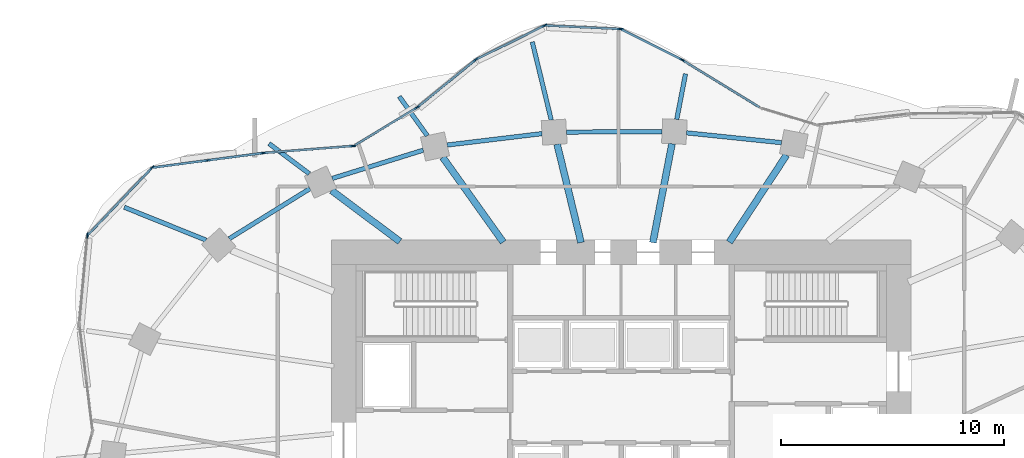
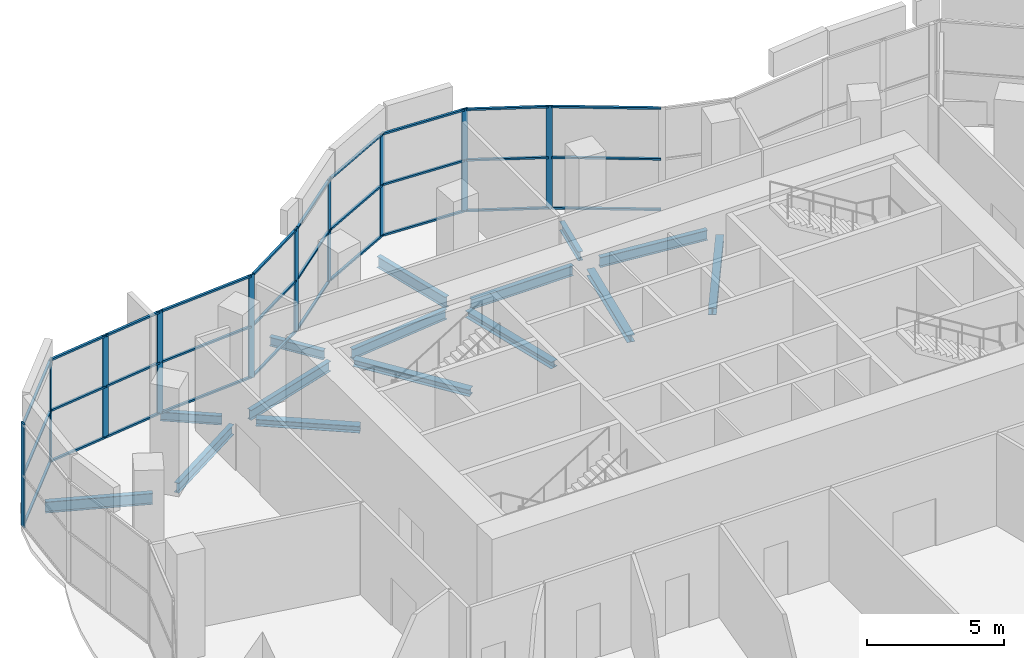
# One storey, part 7 of 16: 40 members, 15 beams, 10 elements without a shape of their own.
"""IFC4 building model written with IfcOpenShell, lengths in metres."""

from ifc_helpers import new_model, si_unit, direction, frame, origin, origin_2d, place, context, subcontext, project, spatial, rectangle, i_section, extrude, material, material_profile, profile_set, type_object, element, aggregate, save


model = new_model("IFC4")

# Units and contexts
model_context = context("Model", 3, precision=1e-05, world=origin(), true_north=direction((0.0, 1.0)))
body_context = subcontext(model_context, "Body", "Model", "MODEL_VIEW")
ifc_project = project(units=[si_unit("LENGTHUNIT", "METRE"), si_unit("AREAUNIT", "SQUARE_METRE"), si_unit("VOLUMEUNIT", "CUBIC_METRE"), si_unit("PLANEANGLEUNIT", "RADIAN"), si_unit("MASSUNIT", "GRAM", prefix="KILO")], contexts=[model_context])

# Site, building, storey
site_placement = place(None, origin())
site = spatial("IfcSite", under=ifc_project, at=site_placement, CompositionType="ELEMENT")
building_placement = place(site_placement, origin())
building = spatial("IfcBuilding", under=site, at=building_placement, Name="Rubra Terraces Tower", CompositionType="ELEMENT")
storey_placement = place(building_placement, frame((0.0, 0.0, 125.699951171875)))
storey = spatial("IfcBuildingStorey", under=building, at=storey_placement, Name="L30", CompositionType="ELEMENT", Elevation=125.699951171875)

# Beams
ifc_material_1 = material(Name="Steel Q355B", Category="steel")
ifc_material_profile_1 = material_profile(ifc_material_1, i_section(OverallWidth=0.199951171875, OverallDepth=0.39990234375, WebThickness=0.008056640625, FlangeThickness=0.012939453125, at=origin_2d()), Name="HN 400x200x8x13")
ifc_profile_set_1 = profile_set([ifc_material_profile_1], Name="Steel Q355B")
beam_type_1 = type_object("IfcBeamType", Name="CANTILEVER BEAM HN 400x200x8x13", PredefinedType="BEAM", material=ifc_profile_set_1)
beam_1_placement = place(storey_placement, frame((2.498046875, 17.406982421875, -0.39990234375), z_axis=(0.189752059446, 0.981832040594, 0.0), x_axis=(-0.981832040594, 0.189752059446, 0.0)))
element("IfcBeam", 1, at=beam_1_placement, inside=storey, type_object=beam_type_1, Name="beam-L30-cant-06", PredefinedType="BEAM", context=body_context, shape_type="SweptSolid", body=[
    extrude(i_section(OverallWidth=0.199951171875, OverallDepth=0.39990234375, WebThickness=0.008056640625, FlangeThickness=0.012939453125, at=origin_2d()), origin(), (0.0, 0.0, 1.0), 2.081787109375),
])
beam_2_placement = place(storey_placement, frame((-8.695068359375, 16.679931640625, -0.39990234375), z_axis=(-0.581099050725, 0.813832841096, 0.0), x_axis=(-0.813832841096, -0.581099050725, 0.0)))
element("IfcBeam", 2, at=beam_2_placement, inside=storey, type_object=beam_type_1, Name="beam-L30-cant-08", PredefinedType="BEAM", context=body_context, shape_type="SweptSolid", body=[
    extrude(i_section(OverallWidth=0.199951171875, OverallDepth=0.39990234375, WebThickness=0.008056640625, FlangeThickness=0.012939453125, at=origin_2d()), origin(), (0.0, 0.0, 1.0), 2.15771484375),
])
beam_3_placement = place(storey_placement, frame((-13.989013671875, 14.971923828125, -0.39990234375), z_axis=(-0.80055840887, 0.599254732136, 0.0), x_axis=(-0.599254732136, -0.80055840887, 0.0)))
element("IfcBeam", 3, at=beam_3_placement, inside=storey, type_object=beam_type_1, Name="beam-L30-cant-09", PredefinedType="BEAM", context=body_context, shape_type="SweptSolid", body=[
    extrude(i_section(OverallWidth=0.199951171875, OverallDepth=0.39990234375, WebThickness=0.008056640625, FlangeThickness=0.012939453125, at=origin_2d()), origin(), (0.0, 0.0, 1.0), 2.254638671875),
])
ifc_material_profile_2 = material_profile(ifc_material_1, i_section(OverallWidth=0.198974609375, OverallDepth=0.49609375, WebThickness=0.009033203125, FlangeThickness=0.013916015625, at=origin_2d()), Name="HN 496x199x9x14")
ifc_profile_set_2 = profile_set([ifc_material_profile_2], Name="Steel Q355B")
beam_type_2 = type_object("IfcBeamType", Name="CANTILEVER BEAM HN 496x199x9x14", PredefinedType="BEAM", material=ifc_profile_set_2)
beam_4_placement = place(storey_placement, frame((-3.131103515625, 17.37890625, -0.447998046875), z_axis=(-0.236144325216, 0.971717992871, 0.0), x_axis=(-0.971717992871, -0.236144325216, 0.0)))
element("IfcBeam", 4, at=beam_4_placement, inside=storey, type_object=beam_type_2, Name="beam-L30-cant-07", PredefinedType="BEAM", context=body_context, shape_type="SweptSolid", body=[
    extrude(i_section(OverallWidth=0.198974609375, OverallDepth=0.49609375, WebThickness=0.009033203125, FlangeThickness=0.013916015625, at=origin_2d()), origin(), (0.0, 0.0, 1.0), 3.607177734375),
])
beam_5_placement = place(storey_placement, frame((-18.6201171875, 11.991943359375, -0.447998046875), z_axis=(-0.927758876375, 0.373180207551, 0.0), x_axis=(-0.373180207551, -0.927758876375, 0.0)))
element("IfcBeam", 5, at=beam_5_placement, inside=storey, type_object=beam_type_2, Name="beam-L30-cant-10", PredefinedType="BEAM", context=body_context, shape_type="SweptSolid", body=[
    extrude(i_section(OverallWidth=0.198974609375, OverallDepth=0.49609375, WebThickness=0.009033203125, FlangeThickness=0.013916015625, at=origin_2d()), origin(), (0.0, 0.0, 1.0), 3.9501953125),
])
ifc_material_profile_3 = material_profile(ifc_material_1, i_section(OverallWidth=0.304931640625, OverallDepth=0.300048828125, WebThickness=0.014892578125, FlangeThickness=0.014892578125, at=origin_2d()), Name="HW 300x305x15x15")
ifc_profile_set_3 = profile_set([ifc_material_profile_3], Name="Steel Q355B")
beam_type_3 = type_object("IfcBeamType", Name="FLOOR BEAM HW 300x305x15x15", PredefinedType="BEAM", material=ifc_profile_set_3)
beam_6_placement = place(storey_placement, frame((7.425048828125, 15.81005859375, -0.349853515625), z_axis=(-0.548820601732, -0.835940157616, 0.0), x_axis=(0.835940157616, -0.548820601732, 0.0)))
element("IfcBeam", 6, at=beam_6_placement, inside=storey, type_object=beam_type_3, Name="beam-L30-floor-05", PredefinedType="BEAM", context=body_context, shape_type="SweptSolid", body=[
    extrude(i_section(OverallWidth=0.304931640625, OverallDepth=0.300048828125, WebThickness=0.014892578125, FlangeThickness=0.014892578125, at=origin_2d()), origin(), (0.0, 0.0, 1.0), 4.677490234375),
])
beam_7_placement = place(storey_placement, frame((2.285888671875, 16.31689453125, -0.349853515625), z_axis=(-0.189927794489, -0.981798061151, 0.0), x_axis=(0.981798061151, -0.189927794489, 0.0)))
element("IfcBeam", 7, at=beam_7_placement, inside=storey, type_object=beam_type_3, Name="beam-L30-floor-06", PredefinedType="BEAM", context=body_context, shape_type="SweptSolid", body=[
    extrude(i_section(OverallWidth=0.304931640625, OverallDepth=0.300048828125, WebThickness=0.014892578125, FlangeThickness=0.014892578125, at=origin_2d()), origin(), (0.0, 0.0, 1.0), 4.51708984375),
])
beam_8_placement = place(storey_placement, frame((-2.866943359375, 16.29296875, -0.349853515625), z_axis=(0.236214306521, -0.971700983531, 0.0), x_axis=(0.971700983531, 0.236214306521, 0.0)))
element("IfcBeam", 8, at=beam_8_placement, inside=storey, type_object=beam_type_3, Name="beam-L30-floor-07", PredefinedType="BEAM", context=body_context, shape_type="SweptSolid", body=[
    extrude(i_section(OverallWidth=0.304931640625, OverallDepth=0.300048828125, WebThickness=0.014892578125, FlangeThickness=0.014892578125, at=origin_2d()), origin(), (0.0, 0.0, 1.0), 4.538330078125),
])
beam_9_placement = place(storey_placement, frame((-7.9990234375, 15.7041015625, -0.349853515625), z_axis=(0.581010755177, -0.813895879317, 0.0), x_axis=(0.813895879317, 0.581010755177, 0.0)))
element("IfcBeam", 9, at=beam_9_placement, inside=storey, type_object=beam_type_3, Name="beam-L30-floor-08", PredefinedType="BEAM", context=body_context, shape_type="SweptSolid", body=[
    extrude(i_section(OverallWidth=0.304931640625, OverallDepth=0.300048828125, WebThickness=0.014892578125, FlangeThickness=0.014892578125, at=origin_2d()), origin(), (0.0, 0.0, 1.0), 4.67138671875),
])
beam_10_placement = place(storey_placement, frame((-12.985107421875, 14.219970703125, -0.349853515625), z_axis=(0.800566460925, -0.599243975057, 0.0), x_axis=(0.599243975057, 0.800566460925, 0.0)))
element("IfcBeam", 10, at=beam_10_placement, inside=storey, type_object=beam_type_3, Name="beam-L30-floor-09", PredefinedType="BEAM", context=body_context, shape_type="SweptSolid", body=[
    extrude(i_section(OverallWidth=0.304931640625, OverallDepth=0.300048828125, WebThickness=0.014892578125, FlangeThickness=0.014892578125, at=origin_2d()), origin(), (0.0, 0.0, 1.0), 3.82470703125),
])
ifc_material_profile_4 = material_profile(ifc_material_1, i_section(OverallWidth=0.198974609375, OverallDepth=0.446044921875, WebThickness=0.008056640625, FlangeThickness=0.011962890625, at=origin_2d()), Name="HN 446x199x8x12")
ifc_profile_set_4 = profile_set([ifc_material_profile_4], Name="Steel Q355B")
beam_type_4 = type_object("IfcBeamType", Name="SPANDREL BEAM HN 446x199x8x12", PredefinedType="SPANDREL", material=ifc_profile_set_4)
beam_11_placement = place(storey_placement, frame((7.201904296875, 16.364013671875, -0.4228515625), z_axis=(-0.994691190497, 0.102904983103, 0.0), x_axis=(-0.102904983103, -0.994691190497, 0.0)))
element("IfcBeam", 11, at=beam_11_placement, inside=storey, type_object=beam_type_4, Name="beam-L30-spandrel-05", PredefinedType="SPANDREL", context=body_context, shape_type="SweptSolid", body=[
    extrude(i_section(OverallWidth=0.198974609375, OverallDepth=0.446044921875, WebThickness=0.008056640625, FlangeThickness=0.011962890625, at=origin_2d()), origin(), (0.0, 0.0, 1.0), 4.28466796875),
])
beam_12_placement = place(storey_placement, frame((1.841064453125, 16.85888671875, -0.4228515625), z_axis=(-0.999989371096, -0.004610606731, 0.0), x_axis=(0.004610606731, -0.999989371096, 0.0)))
element("IfcBeam", 12, at=beam_12_placement, inside=storey, type_object=beam_type_4, Name="beam-L30-spandrel-06", PredefinedType="SPANDREL", context=body_context, shape_type="SweptSolid", body=[
    extrude(i_section(OverallWidth=0.198974609375, OverallDepth=0.446044921875, WebThickness=0.008056640625, FlangeThickness=0.011962890625, at=origin_2d()), origin(), (0.0, 0.0, 1.0), 4.2890625),
])
beam_13_placement = place(storey_placement, frame((-3.5458984375, 16.77001953125, -0.4228515625), z_axis=(-0.992833084949, -0.119509269223, 0.0), x_axis=(0.119509269223, -0.992833084949, 0.0)))
element("IfcBeam", 13, at=beam_13_placement, inside=storey, type_object=beam_type_4, Name="beam-L30-spandrel-07", PredefinedType="SPANDREL", context=body_context, shape_type="SweptSolid", body=[
    extrude(i_section(OverallWidth=0.198974609375, OverallDepth=0.446044921875, WebThickness=0.008056640625, FlangeThickness=0.011962890625, at=origin_2d()), origin(), (0.0, 0.0, 1.0), 4.283935546875),
])
beam_14_placement = place(storey_placement, frame((-8.8740234375, 16.028076171875, -0.4228515625), z_axis=(-0.955002801089, -0.296596780008, 0.0), x_axis=(0.296596780008, -0.955002801089, 0.0)))
element("IfcBeam", 14, at=beam_14_placement, inside=storey, type_object=beam_type_4, Name="beam-L30-spandrel-08", PredefinedType="SPANDREL", context=body_context, shape_type="SweptSolid", body=[
    extrude(i_section(OverallWidth=0.198974609375, OverallDepth=0.446044921875, WebThickness=0.008056640625, FlangeThickness=0.011962890625, at=origin_2d()), origin(), (0.0, 0.0, 1.0), 4.275390625),
])
beam_15_placement = place(storey_placement, frame((-13.9580078125, 14.303955078125, -0.4228515625), z_axis=(-0.849549830498, -0.527508374816, 0.0), x_axis=(0.527508374816, -0.849549830498, 0.0)))
element("IfcBeam", 15, at=beam_15_placement, inside=storey, type_object=beam_type_4, Name="beam-L30-spandrel-09", PredefinedType="SPANDREL", context=body_context, shape_type="SweptSolid", body=[
    extrude(i_section(OverallWidth=0.198974609375, OverallDepth=0.446044921875, WebThickness=0.008056640625, FlangeThickness=0.011962890625, at=origin_2d()), origin(), (0.0, 0.0, 1.0), 4.259765625),
])

# Curtain wall, member
ifc_material_2 = material(Name="Aluminium and glass", Category="aluminium")
curtain_wall_type = type_object("IfcCurtainWallType", Name="Curtain wall Sky lobby glazing", PredefinedType="NOTDEFINED", material=ifc_material_2)
curtain_wall_1_placement = place(storey_placement, origin())
curtain_wall_1 = element("IfcCurtainWall", 16, at=curtain_wall_1_placement, inside=storey, type_object=curtain_wall_type, Name="L30 glazing bay 10", PredefinedType="NOTDEFINED")
ifc_material_3 = material(Name="Aluminium, anodised dark grey", Category="aluminium")
ifc_material_profile_5 = material_profile(ifc_material_3, rectangle(XDim=0.06005859375, YDim=0.25, at=origin_2d()), Name="AL 60x250")
ifc_profile_set_5 = profile_set([ifc_material_profile_5], Name="Aluminium, anodised dark grey")
member_type_1 = type_object("IfcMemberType", Name="Sky lobby glazing mullion 60 x 250", PredefinedType="MULLION", material=ifc_profile_set_5)
member_1_placement = place(storey_placement, frame((2.72607421875, 20.0830078125, 0.0), z_axis=(0.0, 0.0, 1.0), x_axis=(-0.44902107823, -0.893521164442, 0.0)))
member_1 = element("IfcMember", 17, at=member_1_placement, type_object=member_type_1, Name="CW2 mullion 1", PredefinedType="MULLION", context=body_context, shape_type="SweptSolid", body=[
    extrude(rectangle(XDim=0.06005859375, YDim=0.25, at=origin_2d()), origin(), (0.0, 0.0, 1.0), 4.60009765625),
])

curtain_wall_2_placement = place(storey_placement, origin())
curtain_wall_2 = element("IfcCurtainWall", 18, at=curtain_wall_2_placement, inside=storey, type_object=curtain_wall_type, Name="L30 glazing bay 11", PredefinedType="NOTDEFINED")
member_2_placement = place(storey_placement, frame((-0.033447265625, 21.463623046875, 0.0), z_axis=(0.0, 0.0, 1.0), x_axis=(-0.046791868023, -0.998904660659, 0.0)))
member_2 = element("IfcMember", 19, at=member_2_placement, type_object=member_type_1, Name="CW2 mullion 1", PredefinedType="MULLION", context=body_context, shape_type="SweptSolid", body=[
    extrude(rectangle(XDim=0.06005859375, YDim=0.25, at=origin_2d()), origin(), (0.0, 0.0, 1.0), 4.60009765625),
])

curtain_wall_3_placement = place(storey_placement, origin())
curtain_wall_3 = element("IfcCurtainWall", 20, at=curtain_wall_3_placement, inside=storey, type_object=curtain_wall_type, Name="L30 glazing bay 12", PredefinedType="NOTDEFINED")
member_3_placement = place(storey_placement, frame((-3.4306640625, 21.617431640625, 0.0), z_axis=(0.0, 0.0, 1.0), x_axis=(0.442946097117, -0.896548244685, 0.0)))
member_3 = element("IfcMember", 21, at=member_3_placement, type_object=member_type_1, Name="CW2 mullion 1", PredefinedType="MULLION", context=body_context, shape_type="SweptSolid", body=[
    extrude(rectangle(XDim=0.06005859375, YDim=0.25, at=origin_2d()), origin(), (0.0, 0.0, 1.0), 4.60009765625),
])

curtain_wall_4_placement = place(storey_placement, origin())
curtain_wall_4 = element("IfcCurtainWall", 22, at=curtain_wall_4_placement, inside=storey, type_object=curtain_wall_type, Name="L30 glazing bay 13", PredefinedType="NOTDEFINED")
member_4_placement = place(storey_placement, frame((-6.52685546875, 20.08203125, 0.0), z_axis=(0.0, 0.0, 1.0), x_axis=(0.632189659813, -0.774813676974, 0.0)))
member_4 = element("IfcMember", 23, at=member_4_placement, type_object=member_type_1, Name="CW2 mullion 1", PredefinedType="MULLION", context=body_context, shape_type="SweptSolid", body=[
    extrude(rectangle(XDim=0.06005859375, YDim=0.25, at=origin_2d()), origin(), (0.0, 0.0, 1.0), 4.60009765625),
])

curtain_wall_5_placement = place(storey_placement, origin())
curtain_wall_5 = element("IfcCurtainWall", 24, at=curtain_wall_5_placement, inside=storey, type_object=curtain_wall_type, Name="L30 glazing bay 14", PredefinedType="NOTDEFINED")
member_5_placement = place(storey_placement, frame((-9.1640625, 17.936767578125, 0.0), z_axis=(0.0, 0.0, 1.0), x_axis=(0.519247330431, -0.854624016653, 0.0)))
member_5 = element("IfcMember", 25, at=member_5_placement, type_object=member_type_1, Name="CW2 mullion 1", PredefinedType="MULLION", context=body_context, shape_type="SweptSolid", body=[
    extrude(rectangle(XDim=0.06005859375, YDim=0.25, at=origin_2d()), origin(), (0.0, 0.0, 1.0), 4.60009765625),
])

curtain_wall_6_placement = place(storey_placement, origin())
curtain_wall_6 = element("IfcCurtainWall", 26, at=curtain_wall_6_placement, inside=storey, type_object=curtain_wall_type, Name="L30 glazing bay 15", PredefinedType="NOTDEFINED")
member_6_placement = place(storey_placement, frame((-12.039794921875, 16.2138671875, 0.0), z_axis=(0.0, 0.0, 1.0), x_axis=(0.077828192026, -0.99696678607, 0.0)))
member_6 = element("IfcMember", 27, at=member_6_placement, type_object=member_type_1, Name="CW2 mullion 1", PredefinedType="MULLION", context=body_context, shape_type="SweptSolid", body=[
    extrude(rectangle(XDim=0.06005859375, YDim=0.25, at=origin_2d()), origin(), (0.0, 0.0, 1.0), 4.60009765625),
])

# Curtain wall, members
curtain_wall_7_placement = place(storey_placement, origin())
curtain_wall_7 = element("IfcCurtainWall", 28, at=curtain_wall_7_placement, inside=storey, type_object=curtain_wall_type, Name="L30 glazing bay 16", PredefinedType="NOTDEFINED")
member_7_placement = place(storey_placement, frame((-16.0712890625, 15.897705078125, 0.0), z_axis=(0.0, 0.0, 1.0), x_axis=(0.130802612988, -0.991408430686, 0.0)))
member_7 = element("IfcMember", 29, at=member_7_placement, type_object=member_type_1, Name="CW2 mullion 1", PredefinedType="MULLION", context=body_context, shape_type="SweptSolid", body=[
    extrude(rectangle(XDim=0.06005859375, YDim=0.25, at=origin_2d()), origin(), (0.0, 0.0, 1.0), 4.60009765625),
])
member_8_placement = place(storey_placement, frame((-18.5537109375, 15.5703125, 0.0), z_axis=(0.0, 0.0, 1.0), x_axis=(0.130802612988, -0.991408430686, 0.0)))
member_8 = element("IfcMember", 30, at=member_8_placement, type_object=member_type_1, Name="CW2 mullion 2", PredefinedType="MULLION", context=body_context, shape_type="SweptSolid", body=[
    extrude(rectangle(XDim=0.06005859375, YDim=0.25, at=origin_2d()), origin(), (0.0, 0.0, 1.0), 4.60009765625),
])

# Curtain wall, member
curtain_wall_8_placement = place(storey_placement, origin())
curtain_wall_8 = element("IfcCurtainWall", 31, at=curtain_wall_8_placement, inside=storey, type_object=curtain_wall_type, Name="L30 glazing bay 17", PredefinedType="NOTDEFINED")
member_9_placement = place(storey_placement, frame((-21.04345703125, 15.239501953125, 0.0), z_axis=(0.0, 0.0, 1.0), x_axis=(0.723718428199, -0.69009538231, 0.0)))
member_9 = element("IfcMember", 32, at=member_9_placement, type_object=member_type_1, Name="CW2 mullion 1", PredefinedType="MULLION", context=body_context, shape_type="SweptSolid", body=[
    extrude(rectangle(XDim=0.06005859375, YDim=0.25, at=origin_2d()), origin(), (0.0, 0.0, 1.0), 4.60009765625),
])

curtain_wall_9_placement = place(storey_placement, origin())
curtain_wall_9 = element("IfcCurtainWall", 33, at=curtain_wall_9_placement, inside=storey, type_object=curtain_wall_type, Name="L30 glazing bay 18", PredefinedType="NOTDEFINED")
member_10_placement = place(storey_placement, frame((-23.93994140625, 12.1982421875, 0.0), z_axis=(0.0, 0.0, 1.0), x_axis=(0.995771716341, -0.091862336867, 0.0)))
member_10 = element("IfcMember", 34, at=member_10_placement, type_object=member_type_1, Name="CW2 mullion 1", PredefinedType="MULLION", context=body_context, shape_type="SweptSolid", body=[
    extrude(rectangle(XDim=0.06005859375, YDim=0.25, at=origin_2d()), origin(), (0.0, 0.0, 1.0), 4.60009765625),
])
aggregate(curtain_wall_9, [member_10])

# Curtain wall, members
curtain_wall_10_placement = place(storey_placement, origin())
curtain_wall_10 = element("IfcCurtainWall", 35, at=curtain_wall_10_placement, inside=storey, type_object=curtain_wall_type, Name="L30 glazing bay 9", PredefinedType="NOTDEFINED")
ifc_material_profile_6 = material_profile(ifc_material_3, rectangle(XDim=0.10009765625, YDim=0.080078125, at=origin_2d()), Name="AL 100x80")
ifc_profile_set_6 = profile_set([ifc_material_profile_6], Name="Aluminium, anodised dark grey")
member_type_2 = type_object("IfcMemberType", Name="Sky lobby glazing transom 100 x 80", PredefinedType="USERDEFINED", material=ifc_profile_set_6)
member_11_placement = place(storey_placement, frame((6.204345703125, 17.95703125, 0.050048828125), z_axis=(-0.852938539079, 0.522011349066, 0.0), x_axis=(-0.522011349066, -0.852938539079, 0.0)))
member_11 = element("IfcMember", 36, at=member_11_placement, type_object=member_type_2, Name="CW2 transom 1.1", ObjectType="TRANSOM", PredefinedType="USERDEFINED", context=body_context, shape_type="SweptSolid", body=[
    extrude(rectangle(XDim=0.10009765625, YDim=0.080078125, at=origin_2d()), origin(), (0.0, 0.0, 1.0), 3.99267578125),
])
member_12_placement = place(storey_placement, frame((6.204345703125, 17.95703125, 2.300048828125), z_axis=(-0.852938539079, 0.522011349066, 0.0), x_axis=(-0.522011349066, -0.852938539079, 0.0)))
member_12 = element("IfcMember", 37, at=member_12_placement, type_object=member_type_2, Name="CW2 transom 1.2", ObjectType="TRANSOM", PredefinedType="USERDEFINED", context=body_context, shape_type="SweptSolid", body=[
    extrude(rectangle(XDim=0.10009765625, YDim=0.080078125, at=origin_2d()), origin(), (0.0, 0.0, 1.0), 3.99267578125),
])
member_13_placement = place(storey_placement, frame((6.204345703125, 17.95703125, 4.550048828125), z_axis=(-0.852938539079, 0.522011349066, 0.0), x_axis=(-0.522011349066, -0.852938539079, 0.0)))
member_13 = element("IfcMember", 38, at=member_13_placement, type_object=member_type_2, Name="CW2 transom 1.3", ObjectType="TRANSOM", PredefinedType="USERDEFINED", context=body_context, shape_type="SweptSolid", body=[
    extrude(rectangle(XDim=0.10009765625, YDim=0.080078125, at=origin_2d()), origin(), (0.0, 0.0, 1.0), 3.99267578125),
])
aggregate(curtain_wall_10, [member_11, member_12, member_13])

# Member
member_14_placement = place(storey_placement, frame((2.699462890625, 20.096435546875, 0.050048828125), z_axis=(-0.893497167642, 0.449068827036, 0.0), x_axis=(-0.449068827036, -0.893497167642, 0.0)))
member_14 = element("IfcMember", 39, at=member_14_placement, type_object=member_type_2, Name="CW2 transom 1.1", ObjectType="TRANSOM", PredefinedType="USERDEFINED", context=body_context, shape_type="SweptSolid", body=[
    extrude(rectangle(XDim=0.10009765625, YDim=0.080078125, at=origin_2d()), origin(), (0.0, 0.0, 1.0), 2.998779296875),
])

member_15_placement = place(storey_placement, frame((2.699462890625, 20.096435546875, 2.300048828125), z_axis=(-0.893497167642, 0.449068827036, 0.0), x_axis=(-0.449068827036, -0.893497167642, 0.0)))
member_15 = element("IfcMember", 40, at=member_15_placement, type_object=member_type_2, Name="CW2 transom 1.2", ObjectType="TRANSOM", PredefinedType="USERDEFINED", context=body_context, shape_type="SweptSolid", body=[
    extrude(rectangle(XDim=0.10009765625, YDim=0.080078125, at=origin_2d()), origin(), (0.0, 0.0, 1.0), 2.998779296875),
])

member_16_placement = place(storey_placement, frame((2.699462890625, 20.096435546875, 4.550048828125), z_axis=(-0.893497167642, 0.449068827036, 0.0), x_axis=(-0.449068827036, -0.893497167642, 0.0)))
member_16 = element("IfcMember", 41, at=member_16_placement, type_object=member_type_2, Name="CW2 transom 1.3", ObjectType="TRANSOM", PredefinedType="USERDEFINED", context=body_context, shape_type="SweptSolid", body=[
    extrude(rectangle(XDim=0.10009765625, YDim=0.080078125, at=origin_2d()), origin(), (0.0, 0.0, 1.0), 2.998779296875),
])

aggregate(curtain_wall_1, [member_1, member_14, member_15, member_16])

member_17_placement = place(storey_placement, frame((-0.0634765625, 21.46484375, 0.050048828125), z_axis=(-0.998902798235, 0.046831609809, 0.0), x_axis=(-0.046831609809, -0.998902798235, 0.0)))
member_17 = element("IfcMember", 42, at=member_17_placement, type_object=member_type_2, Name="CW2 transom 1.1", ObjectType="TRANSOM", PredefinedType="USERDEFINED", context=body_context, shape_type="SweptSolid", body=[
    extrude(rectangle(XDim=0.10009765625, YDim=0.080078125, at=origin_2d()), origin(), (0.0, 0.0, 1.0), 3.32080078125),
])

member_18_placement = place(storey_placement, frame((-0.0634765625, 21.46484375, 2.300048828125), z_axis=(-0.998902798235, 0.046831609809, 0.0), x_axis=(-0.046831609809, -0.998902798235, 0.0)))
member_18 = element("IfcMember", 43, at=member_18_placement, type_object=member_type_2, Name="CW2 transom 1.2", ObjectType="TRANSOM", PredefinedType="USERDEFINED", context=body_context, shape_type="SweptSolid", body=[
    extrude(rectangle(XDim=0.10009765625, YDim=0.080078125, at=origin_2d()), origin(), (0.0, 0.0, 1.0), 3.32080078125),
])

member_19_placement = place(storey_placement, frame((-0.0634765625, 21.46484375, 4.550048828125), z_axis=(-0.998902798235, 0.046831609809, 0.0), x_axis=(-0.046831609809, -0.998902798235, 0.0)))
member_19 = element("IfcMember", 44, at=member_19_placement, type_object=member_type_2, Name="CW2 transom 1.3", ObjectType="TRANSOM", PredefinedType="USERDEFINED", context=body_context, shape_type="SweptSolid", body=[
    extrude(rectangle(XDim=0.10009765625, YDim=0.080078125, at=origin_2d()), origin(), (0.0, 0.0, 1.0), 3.32080078125),
])

aggregate(curtain_wall_2, [member_2, member_17, member_18, member_19])

member_20_placement = place(storey_placement, frame((-3.45751953125, 21.604248046875, 0.050048828125), z_axis=(-0.89654372925, -0.442955236499, 0.0), x_axis=(0.442955236499, -0.89654372925, 0.0)))
member_20 = element("IfcMember", 45, at=member_20_placement, type_object=member_type_2, Name="CW2 transom 1.1", ObjectType="TRANSOM", PredefinedType="USERDEFINED", context=body_context, shape_type="SweptSolid", body=[
    extrude(rectangle(XDim=0.10009765625, YDim=0.080078125, at=origin_2d()), origin(), (0.0, 0.0, 1.0), 3.352294921875),
])

member_21_placement = place(storey_placement, frame((-3.45751953125, 21.604248046875, 2.300048828125), z_axis=(-0.89654372925, -0.442955236499, 0.0), x_axis=(0.442955236499, -0.89654372925, 0.0)))
member_21 = element("IfcMember", 46, at=member_21_placement, type_object=member_type_2, Name="CW2 transom 1.2", ObjectType="TRANSOM", PredefinedType="USERDEFINED", context=body_context, shape_type="SweptSolid", body=[
    extrude(rectangle(XDim=0.10009765625, YDim=0.080078125, at=origin_2d()), origin(), (0.0, 0.0, 1.0), 3.352294921875),
])

member_22_placement = place(storey_placement, frame((-3.45751953125, 21.604248046875, 4.550048828125), z_axis=(-0.89654372925, -0.442955236499, 0.0), x_axis=(0.442955236499, -0.89654372925, 0.0)))
member_22 = element("IfcMember", 47, at=member_22_placement, type_object=member_type_2, Name="CW2 transom 1.3", ObjectType="TRANSOM", PredefinedType="USERDEFINED", context=body_context, shape_type="SweptSolid", body=[
    extrude(rectangle(XDim=0.10009765625, YDim=0.080078125, at=origin_2d()), origin(), (0.0, 0.0, 1.0), 3.352294921875),
])

aggregate(curtain_wall_3, [member_3, member_20, member_21, member_22])

member_23_placement = place(storey_placement, frame((-6.55029296875, 20.06298828125, 0.050048828125), z_axis=(-0.774821700514, -0.632179826009, 0.0), x_axis=(0.632179826009, -0.774821700514, 0.0)))
member_23 = element("IfcMember", 48, at=member_23_placement, type_object=member_type_2, Name="CW2 transom 1.1", ObjectType="TRANSOM", PredefinedType="USERDEFINED", context=body_context, shape_type="SweptSolid", body=[
    extrude(rectangle(XDim=0.10009765625, YDim=0.080078125, at=origin_2d()), origin(), (0.0, 0.0, 1.0), 3.26904296875),
])

member_24_placement = place(storey_placement, frame((-6.55029296875, 20.06298828125, 2.300048828125), z_axis=(-0.774821700514, -0.632179826009, 0.0), x_axis=(0.632179826009, -0.774821700514, 0.0)))
member_24 = element("IfcMember", 49, at=member_24_placement, type_object=member_type_2, Name="CW2 transom 1.2", ObjectType="TRANSOM", PredefinedType="USERDEFINED", context=body_context, shape_type="SweptSolid", body=[
    extrude(rectangle(XDim=0.10009765625, YDim=0.080078125, at=origin_2d()), origin(), (0.0, 0.0, 1.0), 3.26904296875),
])

member_25_placement = place(storey_placement, frame((-6.55029296875, 20.06298828125, 4.550048828125), z_axis=(-0.774821700514, -0.632179826009, 0.0), x_axis=(0.632179826009, -0.774821700514, 0.0)))
member_25 = element("IfcMember", 50, at=member_25_placement, type_object=member_type_2, Name="CW2 transom 1.3", ObjectType="TRANSOM", PredefinedType="USERDEFINED", context=body_context, shape_type="SweptSolid", body=[
    extrude(rectangle(XDim=0.10009765625, YDim=0.080078125, at=origin_2d()), origin(), (0.0, 0.0, 1.0), 3.26904296875),
])

aggregate(curtain_wall_4, [member_4, member_23, member_24, member_25])

member_26_placement = place(storey_placement, frame((-9.189697265625, 17.921142578125, 0.050048828125), z_axis=(-0.854649882509, -0.519204755687, 0.0), x_axis=(0.519204755687, -0.854649882509, 0.0)))
member_26 = element("IfcMember", 51, at=member_26_placement, type_object=member_type_2, Name="CW2 transom 1.1", ObjectType="TRANSOM", PredefinedType="USERDEFINED", context=body_context, shape_type="SweptSolid", body=[
    extrude(rectangle(XDim=0.10009765625, YDim=0.080078125, at=origin_2d()), origin(), (0.0, 0.0, 1.0), 3.20458984375),
])

member_27_placement = place(storey_placement, frame((-9.189697265625, 17.921142578125, 2.300048828125), z_axis=(-0.854649882509, -0.519204755687, 0.0), x_axis=(0.519204755687, -0.854649882509, 0.0)))
member_27 = element("IfcMember", 52, at=member_27_placement, type_object=member_type_2, Name="CW2 transom 1.2", ObjectType="TRANSOM", PredefinedType="USERDEFINED", context=body_context, shape_type="SweptSolid", body=[
    extrude(rectangle(XDim=0.10009765625, YDim=0.080078125, at=origin_2d()), origin(), (0.0, 0.0, 1.0), 3.20458984375),
])

member_28_placement = place(storey_placement, frame((-9.189697265625, 17.921142578125, 4.550048828125), z_axis=(-0.854649882509, -0.519204755687, 0.0), x_axis=(0.519204755687, -0.854649882509, 0.0)))
member_28 = element("IfcMember", 53, at=member_28_placement, type_object=member_type_2, Name="CW2 transom 1.3", ObjectType="TRANSOM", PredefinedType="USERDEFINED", context=body_context, shape_type="SweptSolid", body=[
    extrude(rectangle(XDim=0.10009765625, YDim=0.080078125, at=origin_2d()), origin(), (0.0, 0.0, 1.0), 3.20458984375),
])

aggregate(curtain_wall_5, [member_5, member_26, member_27, member_28])

member_29_placement = place(storey_placement, frame((-12.06982421875, 16.211669921875, 0.050048828125), z_axis=(-0.996966815715, -0.077827812276, 0.0), x_axis=(0.077827812276, -0.996966815715, 0.0)))
member_29 = element("IfcMember", 54, at=member_29_placement, type_object=member_type_2, Name="CW2 transom 1.1", ObjectType="TRANSOM", PredefinedType="USERDEFINED", context=body_context, shape_type="SweptSolid", body=[
    extrude(rectangle(XDim=0.10009765625, YDim=0.080078125, at=origin_2d()), origin(), (0.0, 0.0, 1.0), 3.927490234375),
])

member_30_placement = place(storey_placement, frame((-12.06982421875, 16.211669921875, 2.300048828125), z_axis=(-0.996966815715, -0.077827812276, 0.0), x_axis=(0.077827812276, -0.996966815715, 0.0)))
member_30 = element("IfcMember", 55, at=member_30_placement, type_object=member_type_2, Name="CW2 transom 1.2", ObjectType="TRANSOM", PredefinedType="USERDEFINED", context=body_context, shape_type="SweptSolid", body=[
    extrude(rectangle(XDim=0.10009765625, YDim=0.080078125, at=origin_2d()), origin(), (0.0, 0.0, 1.0), 3.927490234375),
])

member_31_placement = place(storey_placement, frame((-12.06982421875, 16.211669921875, 4.550048828125), z_axis=(-0.996966815715, -0.077827812276, 0.0), x_axis=(0.077827812276, -0.996966815715, 0.0)))
member_31 = element("IfcMember", 56, at=member_31_placement, type_object=member_type_2, Name="CW2 transom 1.3", ObjectType="TRANSOM", PredefinedType="USERDEFINED", context=body_context, shape_type="SweptSolid", body=[
    extrude(rectangle(XDim=0.10009765625, YDim=0.080078125, at=origin_2d()), origin(), (0.0, 0.0, 1.0), 3.927490234375),
])

aggregate(curtain_wall_6, [member_6, member_29, member_30, member_31])

member_32_placement = place(storey_placement, frame((-16.10107421875, 15.893798828125, 0.050048828125), z_axis=(-0.991412761877, -0.130769780864, 0.0), x_axis=(0.130769780864, -0.991412761877, 0.0)))
member_32 = element("IfcMember", 57, at=member_32_placement, type_object=member_type_2, Name="CW2 transom 1.1", ObjectType="TRANSOM", PredefinedType="USERDEFINED", context=body_context, shape_type="SweptSolid", body=[
    extrude(rectangle(XDim=0.10009765625, YDim=0.080078125, at=origin_2d()), origin(), (0.0, 0.0, 1.0), 2.44384765625),
])

member_33_placement = place(storey_placement, frame((-16.10107421875, 15.893798828125, 2.300048828125), z_axis=(-0.991412761877, -0.130769780864, 0.0), x_axis=(0.130769780864, -0.991412761877, 0.0)))
member_33 = element("IfcMember", 58, at=member_33_placement, type_object=member_type_2, Name="CW2 transom 1.2", ObjectType="TRANSOM", PredefinedType="USERDEFINED", context=body_context, shape_type="SweptSolid", body=[
    extrude(rectangle(XDim=0.10009765625, YDim=0.080078125, at=origin_2d()), origin(), (0.0, 0.0, 1.0), 2.44384765625),
])

member_34_placement = place(storey_placement, frame((-16.10107421875, 15.893798828125, 4.550048828125), z_axis=(-0.991412761877, -0.130769780864, 0.0), x_axis=(0.130769780864, -0.991412761877, 0.0)))
member_34 = element("IfcMember", 59, at=member_34_placement, type_object=member_type_2, Name="CW2 transom 1.3", ObjectType="TRANSOM", PredefinedType="USERDEFINED", context=body_context, shape_type="SweptSolid", body=[
    extrude(rectangle(XDim=0.10009765625, YDim=0.080078125, at=origin_2d()), origin(), (0.0, 0.0, 1.0), 2.44384765625),
])

member_35_placement = place(storey_placement, frame((-18.58349609375, 15.56640625, 0.050048828125), z_axis=(-0.991399805398, -0.130867971087, 0.0), x_axis=(0.130867971087, -0.991399805398, 0.0)))
member_35 = element("IfcMember", 60, at=member_35_placement, type_object=member_type_2, Name="CW2 transom 2.1", ObjectType="TRANSOM", PredefinedType="USERDEFINED", context=body_context, shape_type="SweptSolid", body=[
    extrude(rectangle(XDim=0.10009765625, YDim=0.080078125, at=origin_2d()), origin(), (0.0, 0.0, 1.0), 2.44384765625),
])

member_36_placement = place(storey_placement, frame((-18.58349609375, 15.56640625, 2.300048828125), z_axis=(-0.991399805398, -0.130867971087, 0.0), x_axis=(0.130867971087, -0.991399805398, 0.0)))
member_36 = element("IfcMember", 61, at=member_36_placement, type_object=member_type_2, Name="CW2 transom 2.2", ObjectType="TRANSOM", PredefinedType="USERDEFINED", context=body_context, shape_type="SweptSolid", body=[
    extrude(rectangle(XDim=0.10009765625, YDim=0.080078125, at=origin_2d()), origin(), (0.0, 0.0, 1.0), 2.44384765625),
])

member_37_placement = place(storey_placement, frame((-18.58349609375, 15.56640625, 4.550048828125), z_axis=(-0.991399805398, -0.130867971087, 0.0), x_axis=(0.130867971087, -0.991399805398, 0.0)))
member_37 = element("IfcMember", 62, at=member_37_placement, type_object=member_type_2, Name="CW2 transom 2.3", ObjectType="TRANSOM", PredefinedType="USERDEFINED", context=body_context, shape_type="SweptSolid", body=[
    extrude(rectangle(XDim=0.10009765625, YDim=0.080078125, at=origin_2d()), origin(), (0.0, 0.0, 1.0), 2.44384765625),
])

aggregate(curtain_wall_7, [member_7, member_8, member_32, member_33, member_34, member_35, member_36, member_37])

member_38_placement = place(storey_placement, frame((-21.064208984375, 15.2177734375, 0.050048828125), z_axis=(-0.690071016168, -0.723741661538, 0.0), x_axis=(0.723741661538, -0.690071016168, 0.0)))
member_38 = element("IfcMember", 63, at=member_38_placement, type_object=member_type_2, Name="CW2 transom 1.1", ObjectType="TRANSOM", PredefinedType="USERDEFINED", context=body_context, shape_type="SweptSolid", body=[
    extrude(rectangle(XDim=0.10009765625, YDim=0.080078125, at=origin_2d()), origin(), (0.0, 0.0, 1.0), 4.133056640625),
])

member_39_placement = place(storey_placement, frame((-21.064208984375, 15.2177734375, 2.300048828125), z_axis=(-0.690071016168, -0.723741661538, 0.0), x_axis=(0.723741661538, -0.690071016168, 0.0)))
member_39 = element("IfcMember", 64, at=member_39_placement, type_object=member_type_2, Name="CW2 transom 1.2", ObjectType="TRANSOM", PredefinedType="USERDEFINED", context=body_context, shape_type="SweptSolid", body=[
    extrude(rectangle(XDim=0.10009765625, YDim=0.080078125, at=origin_2d()), origin(), (0.0, 0.0, 1.0), 4.133056640625),
])

member_40_placement = place(storey_placement, frame((-21.064208984375, 15.2177734375, 4.550048828125), z_axis=(-0.690071016168, -0.723741661538, 0.0), x_axis=(0.723741661538, -0.690071016168, 0.0)))
member_40 = element("IfcMember", 65, at=member_40_placement, type_object=member_type_2, Name="CW2 transom 1.3", ObjectType="TRANSOM", PredefinedType="USERDEFINED", context=body_context, shape_type="SweptSolid", body=[
    extrude(rectangle(XDim=0.10009765625, YDim=0.080078125, at=origin_2d()), origin(), (0.0, 0.0, 1.0), 4.133056640625),
])

aggregate(curtain_wall_8, [member_9, member_38, member_39, member_40])

save(model, "model.ifc")
